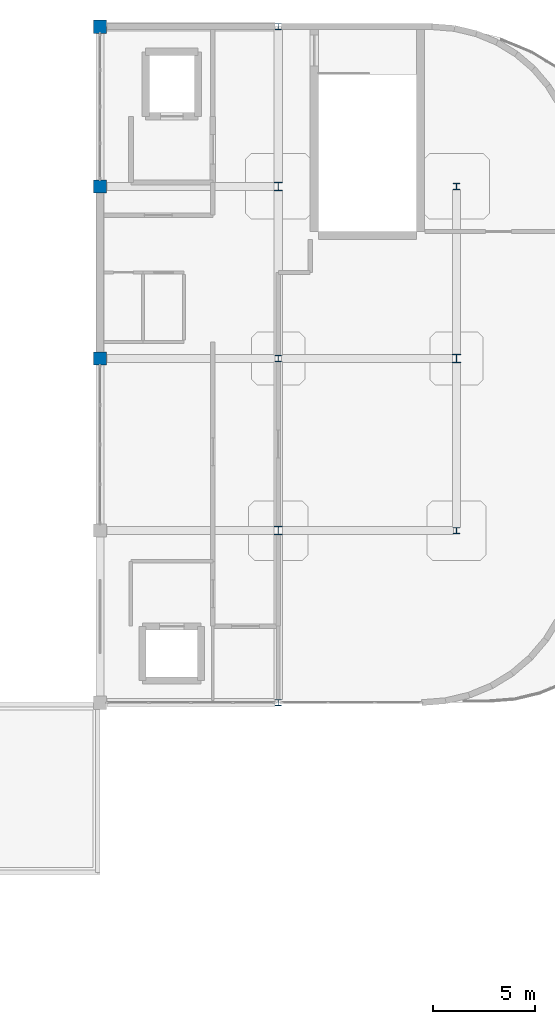
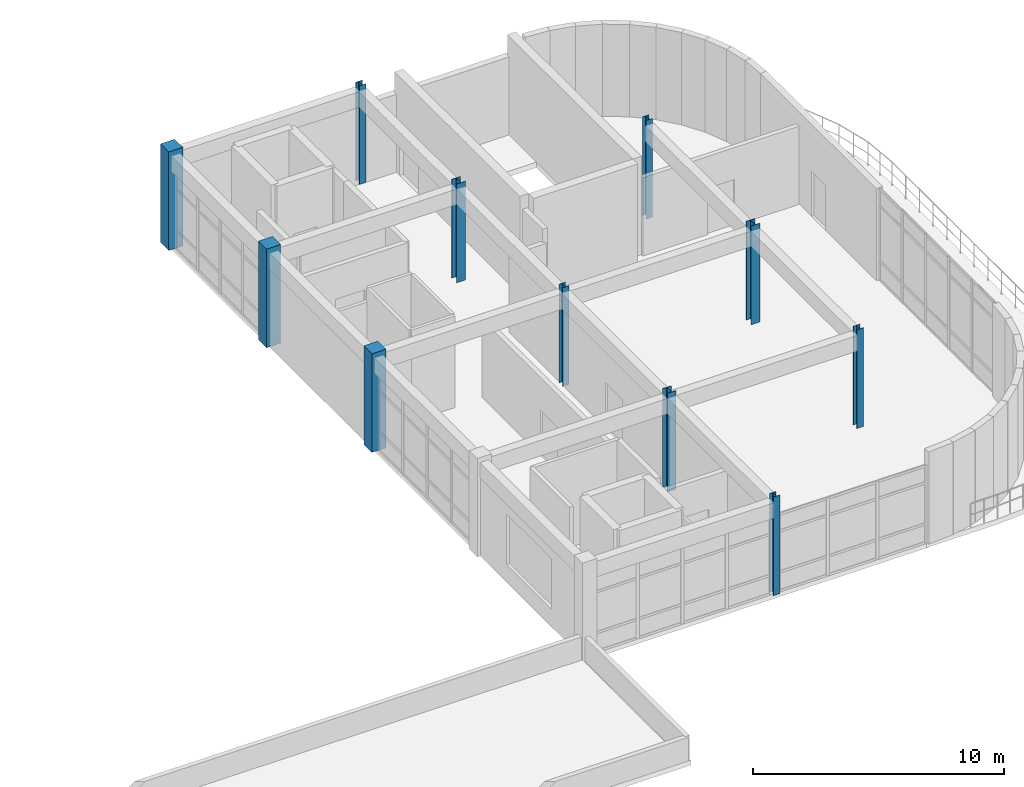
# One storey, part 2 of 41: 11 columns.
"""IFC4 building model written with IfcOpenShell, lengths in metres."""

from ifc_helpers import new_model, si_unit, derived_unit, direction, frame, origin, origin_2d, place, context, subcontext, project, spatial, rectangle, i_section, extrude, material, material_profile, profile_set, type_object, element, save


model = new_model("IFC4")

# Units and contexts
model_context = context("Model", 3, precision=1e-05, world=origin(), true_north=direction((0.0, 1.0)))
body_context = subcontext(model_context, "Body", "Model", "MODEL_VIEW")
ifc_project = project(units=[si_unit("LENGTHUNIT", "METRE"), si_unit("AREAUNIT", "SQUARE_METRE"), si_unit("VOLUMEUNIT", "CUBIC_METRE"), si_unit("PLANEANGLEUNIT", "RADIAN"), si_unit("MASSUNIT", "GRAM", prefix="KILO"), derived_unit("THERMALTRANSMITTANCEUNIT", [(si_unit("MASSUNIT", "GRAM", prefix="KILO"), 1), (si_unit("TIMEUNIT", "SECOND"), -3), (si_unit("THERMODYNAMICTEMPERATUREUNIT", "KELVIN"), -1)])], contexts=[model_context])

# Site, building, storey
site_placement = place(None, origin())
site = spatial("IfcSite", under=ifc_project, at=site_placement, CompositionType="ELEMENT")
building_placement = place(site_placement, origin())
building = spatial("IfcBuilding", under=site, at=building_placement, Name="Qinzheling Arcade Emporium", CompositionType="ELEMENT")
storey_placement = place(building_placement, frame((0.0, 0.0, 36.300048828125)))
storey = spatial("IfcBuildingStorey", under=building, at=storey_placement, Name="L08", CompositionType="ELEMENT", Elevation=36.300048828125)

# Columns
ifc_material_1 = material(Name="Structural steel Q355B", Category="steel")
ifc_material_profile_1 = material_profile(ifc_material_1, i_section(OverallWidth=0.39990234375, OverallDepth=0.39990234375, WebThickness=0.012939453125, FlangeThickness=0.02099609375, FilletRadius=0.02197265625, at=origin_2d()), Name="HW 400x400x13x21", Category="steel")
ifc_profile_set_1 = profile_set([ifc_material_profile_1], Name="Structural steel Q355B")
column_type_1 = type_object("IfcColumnType", Name="Canopy Steel Column HW400 Q355B", PredefinedType="COLUMN", material=ifc_profile_set_1)
for number, where, z_axis, x_axis, name in (
    (1, (113.10009765625, 82.199951171875, 0.0), (0.0, 0.0, 1.0), (1.0, 0.0, 0.0), "Column COL-L08-14-K"),
    (2, (113.10009765625, 99.0, 0.0), (0.0, 0.0, 1.0), (1.0, 0.0, 0.0), "Column COL-L08-14-M"),
    (3, (121.800048828125, 90.60009765625, 0.0), (0.0, 0.0, 1.0), (1.0, 0.0, 0.0), "Column COL-L08-15-L"),
):
    element("IfcColumn", number, at=place(storey_placement, frame(where, z_axis=z_axis, x_axis=x_axis)), inside=storey, type_object=column_type_1, Name=name, PredefinedType="COLUMN", context=body_context, shape_type="SweptSolid", body=[
        extrude(i_section(OverallWidth=0.39990234375, OverallDepth=0.39990234375, WebThickness=0.012939453125, FlangeThickness=0.02099609375, FilletRadius=0.02197265625, at=origin_2d()), origin(), (0.0, 0.0, 1.0), 4.800048828125),
    ])
ifc_material_profile_2 = material_profile(ifc_material_1, i_section(OverallWidth=0.300048828125, OverallDepth=0.300048828125, WebThickness=0.010009765625, FlangeThickness=0.014892578125, FilletRadius=0.01806640625, at=origin_2d()), Name="HW 300x300x10x15", Category="steel")
ifc_profile_set_2 = profile_set([ifc_material_profile_2], Name="Structural steel Q355B")
column_type_2 = type_object("IfcColumnType", Name="Loggia Steel Post HW300 Q355B", PredefinedType="PILASTER", material=ifc_profile_set_2)
for number, where, z_axis, x_axis, name in (
    (4, (113.10009765625, 73.800048828125, 0.0), (0.0, 0.0, 1.0), (1.0, 0.0, 0.0), "Column COL-L08-14-J"),
    (5, (113.10009765625, 90.60009765625, 0.0), (0.0, 0.0, 1.0), (1.0, 0.0, 0.0), "Column COL-L08-14-L"),
    (6, (113.10009765625, 106.800048828125, 0.0), (0.0, 0.0, 1.0), (1.0, 0.0, 0.0), "Column COL-L08-14-N"),
    (7, (121.800048828125, 82.199951171875, 0.0), (0.0, 0.0, 1.0), (1.0, 0.0, 0.0), "Column COL-L08-15-K"),
    (8, (121.800048828125, 99.0, 0.0), (0.0, 0.0, 1.0), (1.0, 0.0, 0.0), "Column COL-L08-15-M"),
):
    element("IfcColumn", number, at=place(storey_placement, frame(where, z_axis=z_axis, x_axis=x_axis)), inside=storey, type_object=column_type_2, Name=name, PredefinedType="PILASTER", context=body_context, shape_type="SweptSolid", body=[
        extrude(i_section(OverallWidth=0.300048828125, OverallDepth=0.300048828125, WebThickness=0.010009765625, FlangeThickness=0.014892578125, FilletRadius=0.01806640625, at=origin_2d()), origin(), (0.0, 0.0, 1.0), 4.800048828125),
    ])
ifc_material_2 = material(Name="Concrete C40", Category="concrete")
ifc_material_profile_3 = material_profile(ifc_material_2, rectangle(XDim=0.64990234375, YDim=0.64990234375, at=origin_2d()), Name="RC 650x650", Category="concrete")
ifc_profile_set_3 = profile_set([ifc_material_profile_3], Name="Concrete C40")
column_type_3 = type_object("IfcColumnType", Name="RC Column 650x650 C40", PredefinedType="COLUMN", material=ifc_profile_set_3)
for number, where, z_axis, x_axis, name in (
    (9, (104.39990234375, 90.60009765625, 0.0), (0.0, 0.0, 1.0), (1.0, 0.0, 0.0), "Column COL-L08-13-L"),
    (10, (104.39990234375, 99.0, 0.0), (0.0, 0.0, 1.0), (1.0, 0.0, 0.0), "Column COL-L08-13-M"),
    (11, (104.39990234375, 106.800048828125, 0.0), (0.0, 0.0, 1.0), (1.0, 0.0, 0.0), "Column COL-L08-13-N"),
):
    element("IfcColumn", number, at=place(storey_placement, frame(where, z_axis=z_axis, x_axis=x_axis)), inside=storey, type_object=column_type_3, Name=name, PredefinedType="COLUMN", context=body_context, shape_type="SweptSolid", body=[
        extrude(rectangle(XDim=0.64990234375, YDim=0.64990234375, at=origin_2d()), origin(), (0.0, 0.0, 1.0), 4.800048828125),
    ])

save(model, "model.ifc")
